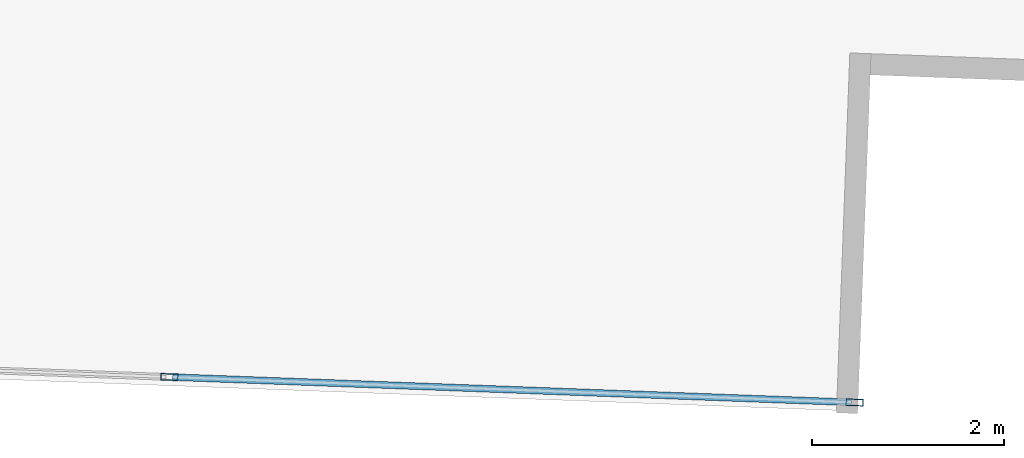
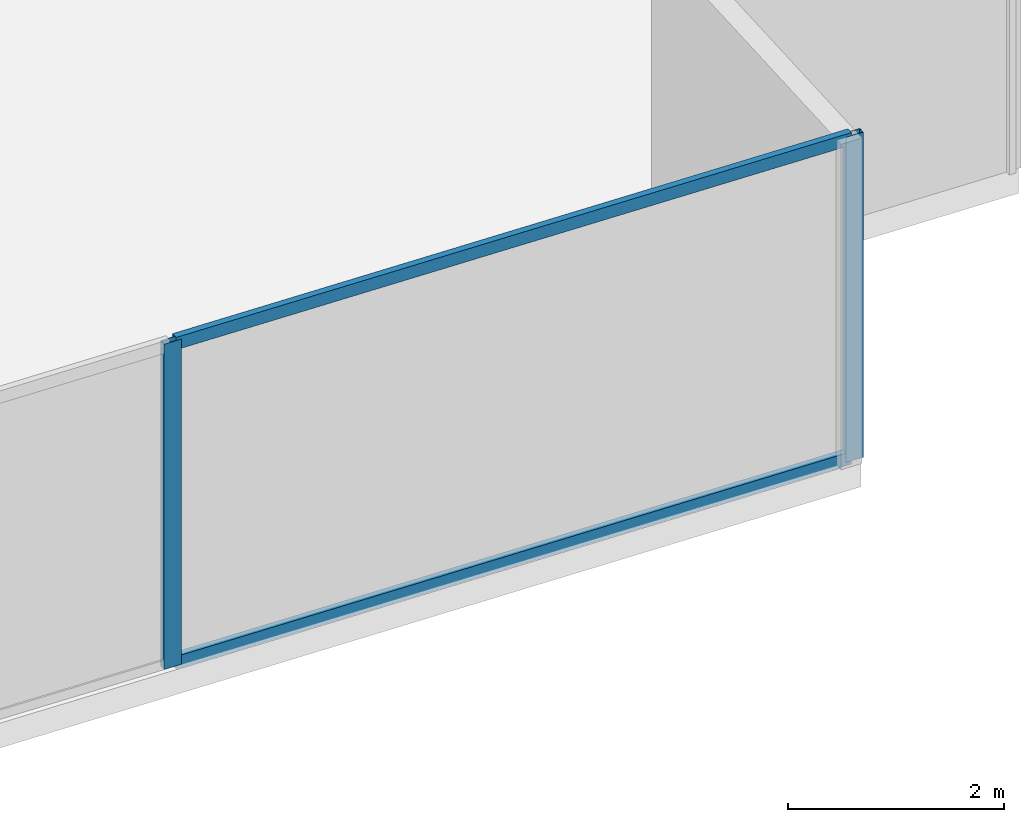
# One storey, part 12 of 30: 4 members, 1 element without a shape of its own.
"""IFC4 building model written with IfcOpenShell, lengths in metres."""

from ifc_helpers import new_model, si_unit, direction, frame, origin, origin_2d, place, context, subcontext, project, spatial, hollow_rectangle, extrude, source, transform, mapped, material, material_profile, profile_set, type_object, type_shapes, element, aggregate, save


model = new_model("IFC4")

# Units and contexts
model_context = context("Model", 3, precision=1e-05, world=origin(), true_north=direction((0.0, 1.0)))
body_context = subcontext(model_context, "Body", "Model", "MODEL_VIEW")
ifc_project = project(units=[si_unit("LENGTHUNIT", "METRE"), si_unit("AREAUNIT", "SQUARE_METRE"), si_unit("VOLUMEUNIT", "CUBIC_METRE"), si_unit("PLANEANGLEUNIT", "RADIAN"), si_unit("MASSUNIT", "GRAM", prefix="KILO")], contexts=[model_context])

# Site, building, storey
site_placement = place(None, origin())
site = spatial("IfcSite", under=ifc_project, at=site_placement, CompositionType="ELEMENT")
building_placement = place(site_placement, origin())
building = spatial("IfcBuilding", under=site, at=building_placement, Name="Krantzveldt Concourse Tower", CompositionType="ELEMENT")
storey_placement = place(building_placement, frame((0.0, 0.0, 40.800048828125)))
storey = spatial("IfcBuildingStorey", under=building, at=storey_placement, Name="L09", CompositionType="ELEMENT", Elevation=40.800048828125)

# Curtain wall, members
ifc_material = material(Name="Anodised aluminium 6063-T6", Category="aluminium")
curtain_wall_type = type_object("IfcCurtainWallType", Name="CW2", PredefinedType="USERDEFINED", material=ifc_material)
curtain_wall_placement = place(storey_placement, origin())
curtain_wall = element("IfcCurtainWall", 1, at=curtain_wall_placement, inside=storey, type_object=curtain_wall_type, Name="CW-L09-F04", ObjectType="UNITISED CURTAIN WALL", PredefinedType="USERDEFINED")
ifc_material_profile_1 = material_profile(ifc_material, hollow_rectangle(XDim=0.070068359375, YDim=0.179931640625, WallThickness=0.0048828125, at=origin_2d()), Name="Anodised aluminium 6063-T6", Category="aluminium")
ifc_profile_set_1 = profile_set([ifc_material_profile_1], Name="Anodised aluminium 6063-T6 - ALU-MULL 180x70x5")
member_type_1 = type_object("IfcMemberType", Name="CW-MUL-180", PredefinedType="MULLION", material=ifc_profile_set_1)
shared_shape_1 = source(origin(), body_context, "Body", "SweptSolid", [
    extrude(hollow_rectangle(XDim=0.070068359375, YDim=0.179931640625, WallThickness=0.0048828125, at=origin_2d()), origin(), (0.0, 0.0, 1.0), 3.669921875),
])
type_shapes(member_type_1, [shared_shape_1])
member_1_placement = place(storey_placement, frame((49.39990234375, 1.275634765625, 0.0), z_axis=(0.0, 0.0, 1.0), x_axis=(0.037079766834, 0.999312308986, 0.0)))
member_1 = element("IfcMember", 2, at=member_1_placement, type_object=member_type_1, Name="CW-Z12 mullion 6", PredefinedType="MULLION", context=body_context, shape_type="MappedRepresentation", body=[
    mapped(shared_shape_1, transform((0.0, 0.0, 0.0), x_axis=(1.0, 0.0, 0.0), y_axis=(0.0, 1.0, 0.0), z_axis=(0.0, 0.0, 1.0), scale=1.0)),
])
member_2_placement = place(storey_placement, frame((56.526611328125, 1.01123046875, 0.0), z_axis=(0.0, 0.0, 1.0), x_axis=(0.037079766834, 0.999312308986, 0.0)))
member_2 = element("IfcMember", 3, at=member_2_placement, type_object=member_type_1, Name="CW-Z12 mullion 7", PredefinedType="MULLION", context=body_context, shape_type="MappedRepresentation", body=[
    mapped(shared_shape_1, transform((0.0, 0.0, 0.0), x_axis=(1.0, 0.0, 0.0), y_axis=(0.0, 1.0, 0.0), z_axis=(0.0, 0.0, 1.0), scale=1.0)),
])
ifc_material_profile_2 = material_profile(ifc_material, hollow_rectangle(XDim=0.070068359375, YDim=0.139892578125, WallThickness=0.0048828125, at=origin_2d()), Name="Anodised aluminium 6063-T6", Category="aluminium")
ifc_profile_set_2 = profile_set([ifc_material_profile_2], Name="Anodised aluminium 6063-T6 - ALU-TRAN 140x70x5")
member_type_2 = type_object("IfcMemberType", Name="CW-TRN-150", PredefinedType="USERDEFINED", material=ifc_profile_set_2)
shared_shape_2 = source(origin(), body_context, "Body", "SweptSolid", [
    extrude(hollow_rectangle(XDim=0.070068359375, YDim=0.139892578125, WallThickness=0.0048828125, at=origin_2d()), origin(), (0.0, 0.0, 1.0), 7.061767578125),
])
type_shapes(member_type_2, [shared_shape_2])
member_3_placement = place(storey_placement, frame((49.434814453125, 1.2744140625, 0.034912109375), z_axis=(0.99931170449, -0.037096054624, 0.0), x_axis=(0.037096054624, 0.99931170449, 0.0)))
member_3 = element("IfcMember", 4, at=member_3_placement, type_object=member_type_2, Name="CW-Z12 transom 6.1", ObjectType="TRANSOM", PredefinedType="USERDEFINED", context=body_context, shape_type="MappedRepresentation", body=[
    mapped(shared_shape_2, transform((0.0, 0.0, 0.0), x_axis=(1.0, 0.0, 0.0), y_axis=(0.0, 1.0, 0.0), z_axis=(0.0, 0.0, 1.0), scale=1.0)),
])
member_4_placement = place(storey_placement, frame((49.434814453125, 1.2744140625, 3.635009765625), z_axis=(0.99931170449, -0.037096054624, 0.0), x_axis=(0.037096054624, 0.99931170449, 0.0)))
member_4 = element("IfcMember", 5, at=member_4_placement, type_object=member_type_2, Name="CW-Z12 transom 6.2", ObjectType="TRANSOM", PredefinedType="USERDEFINED", context=body_context, shape_type="MappedRepresentation", body=[
    mapped(shared_shape_2, transform((0.0, 0.0, 0.0), x_axis=(1.0, 0.0, 0.0), y_axis=(0.0, 1.0, 0.0), z_axis=(0.0, 0.0, 1.0), scale=1.0)),
])
aggregate(curtain_wall, [member_1, member_2, member_3, member_4])

save(model, "model.ifc")
